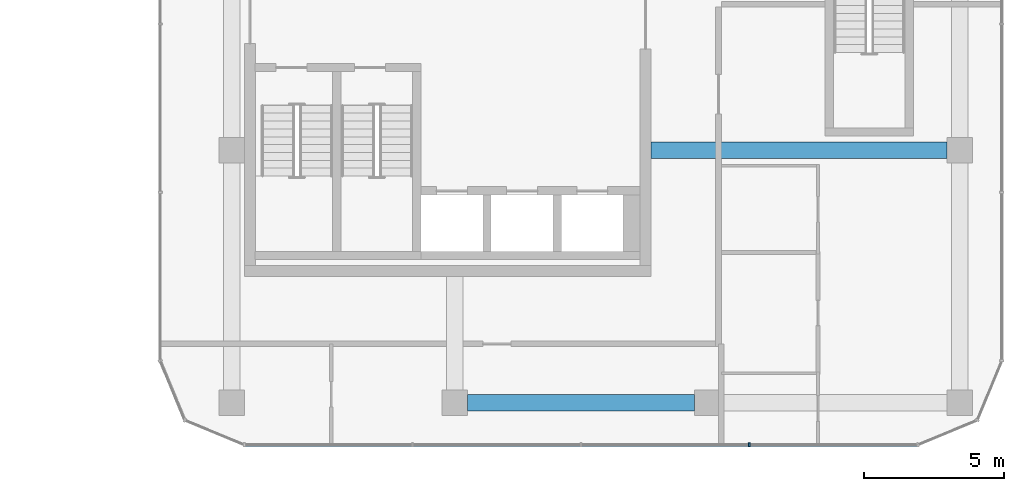
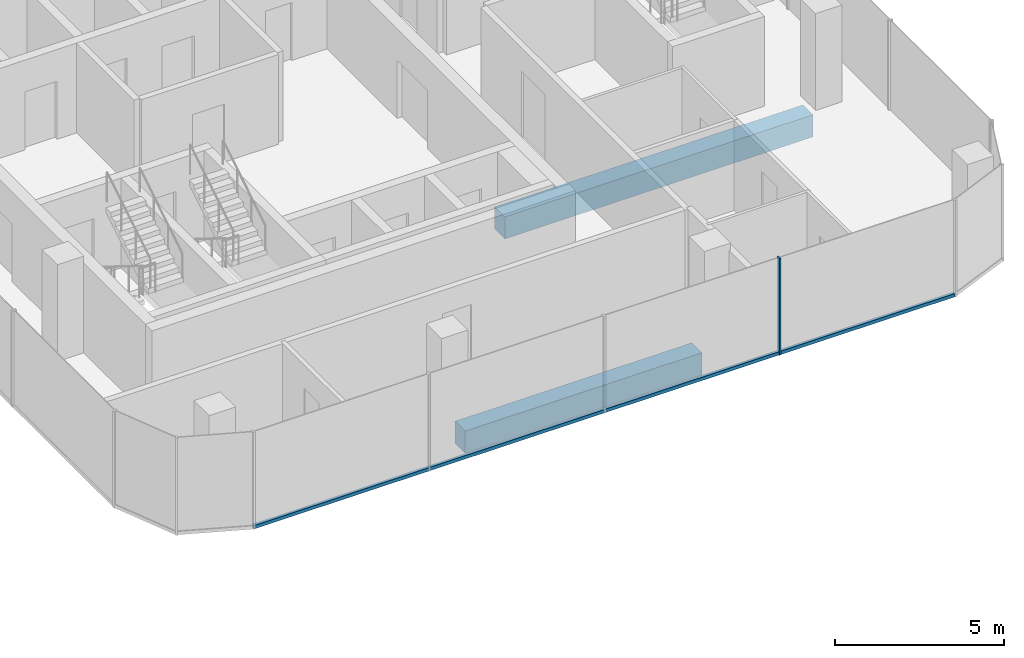
# One storey, part 8 of 22: 2 beams, 2 members, 1 element without a shape of its own.
"""IFC4 building model written with IfcOpenShell, lengths in metres."""

from ifc_helpers import new_model, si_unit, direction, frame, origin, origin_2d, place, context, subcontext, project, spatial, rectangle, extrude, material, layer, layer_set, material_profile, profile_set, type_object, element, aggregate, save


model = new_model("IFC4")

# Units and contexts
model_context = context("Model", 3, precision=1e-05, world=origin(), true_north=direction((0.0, 1.0)))
body_context = subcontext(model_context, "Body", "Model", "MODEL_VIEW")
ifc_project = project(units=[si_unit("LENGTHUNIT", "METRE"), si_unit("AREAUNIT", "SQUARE_METRE"), si_unit("VOLUMEUNIT", "CUBIC_METRE"), si_unit("PLANEANGLEUNIT", "RADIAN"), si_unit("MASSUNIT", "GRAM", prefix="KILO")], contexts=[model_context])

# Site, building, storey
site_placement = place(None, origin())
site = spatial("IfcSite", under=ifc_project, at=site_placement, CompositionType="ELEMENT")
building_placement = place(site_placement, origin())
building = spatial("IfcBuilding", under=site, at=building_placement, Name="Plateau Cross Towers", CompositionType="ELEMENT")
storey_placement = place(building_placement, frame((0.0, 0.0, 106.300048828125)))
storey = spatial("IfcBuildingStorey", under=building, at=storey_placement, Name="L27", CompositionType="ELEMENT", Elevation=106.300048828125)

# Beam
ifc_material_1 = material(Name="Concrete C60/75", Category="concrete")
ifc_material_profile_1 = material_profile(ifc_material_1, rectangle(XDim=0.60009765625, YDim=0.800048828125, at=origin_2d()), Name="RC 600x800")
ifc_profile_set_1 = profile_set([ifc_material_profile_1], Name="Concrete C60/75")
beam_type_1 = type_object("IfcBeamType", Name="Core beam RC 600x800", PredefinedType="BEAM", material=ifc_profile_set_1)
beam_1_placement = place(storey_placement, frame((89.5, 4.5, -0.650146484375), z_axis=(1.0, 0.0, 0.0), x_axis=(0.0, 1.0, 0.0)))
element("IfcBeam", 1, at=beam_1_placement, inside=storey, type_object=beam_type_1, Name="B-CB02@L27", PredefinedType="BEAM", context=body_context, shape_type="SweptSolid", body=[
    extrude(rectangle(XDim=0.60009765625, YDim=0.800048828125, at=origin_2d()), origin(), (0.0, 0.0, 1.0), 10.550048828125),
])

# Curtain wall, member
ifc_material_2 = material(Name="Dark low-iron glass", Category="glass")
ifc_layer = layer(ifc_material_2, 0.239990234375)
ifc_layer_set = layer_set([ifc_layer], Name="Dark low-iron glass")
curtain_wall_type = type_object("IfcCurtainWallType", Name="Curtain wall office unitised CW-F", PredefinedType="NOTDEFINED", material=ifc_layer_set)
curtain_wall_placement = place(storey_placement, origin())
curtain_wall = element("IfcCurtainWall", 2, at=curtain_wall_placement, inside=storey, type_object=curtain_wall_type, Name="ENV/B/L27/B750_-60", PredefinedType="NOTDEFINED")
ifc_material_3 = material(Name="Black anodised aluminium", Category="aluminium")
ifc_material_profile_2 = material_profile(ifc_material_3, rectangle(XDim=0.06005859375, YDim=0.139892578125, at=origin_2d()), Name="MULLION 60x140")
ifc_profile_set_2 = profile_set([ifc_material_profile_2], Name="Black anodised aluminium")
member_type_1 = type_object("IfcMemberType", Name="Mullion 60x140 office unitised", PredefinedType="MULLION", material=ifc_profile_set_2)
member_1_placement = place(storey_placement, frame((93.0, -6.0, -0.25), z_axis=(0.0, 0.0, 1.0), x_axis=(1.0, 0.0, 0.0)))
member_1 = element("IfcMember", 3, at=member_1_placement, type_object=member_type_1, Name="CW-F mullion 4", PredefinedType="MULLION", context=body_context, shape_type="SweptSolid", body=[
    extrude(rectangle(XDim=0.06005859375, YDim=0.139892578125, at=origin_2d()), origin(), (0.0, 0.0, 1.0), 3.5),
])

# Beam
ifc_material_profile_3 = material_profile(ifc_material_1, rectangle(XDim=0.60009765625, YDim=0.800048828125, at=origin_2d()), Name="RC 600x800")
ifc_profile_set_3 = profile_set([ifc_material_profile_3], Name="Concrete C60/75")
beam_type_2 = type_object("IfcBeamType", Name="Ring beam RC 600x800", PredefinedType="BEAM", material=ifc_profile_set_3)
beam_2_placement = place(storey_placement, frame((82.949951171875, -4.5, -0.650146484375), z_axis=(1.0, 0.0, 0.0), x_axis=(0.0, 1.0, 0.0)))
element("IfcBeam", 4, at=beam_2_placement, inside=storey, type_object=beam_type_2, Name="B-RB01@L27", PredefinedType="BEAM", context=body_context, shape_type="SweptSolid", body=[
    extrude(rectangle(XDim=0.60009765625, YDim=0.800048828125, at=origin_2d()), origin(), (0.0, 0.0, 1.0), 8.10009765625),
])

# Member
ifc_material_profile_4 = material_profile(ifc_material_3, rectangle(XDim=0.10009765625, YDim=0.1201171875, at=origin_2d()), Name="TRANSOM 100x120")
ifc_profile_set_4 = profile_set([ifc_material_profile_4], Name="Black anodised aluminium")
member_type_2 = type_object("IfcMemberType", Name="Transom 100x120 office unitised", PredefinedType="USERDEFINED", material=ifc_profile_set_4)
member_2_placement = place(storey_placement, frame((75.0, -6.0, -0.18994140625), z_axis=(1.0, 0.0, 0.0), x_axis=(0.0, 1.0, 0.0)))
member_2 = element("IfcMember", 5, at=member_2_placement, type_object=member_type_2, Name="CW-F transom", ObjectType="TRANSOM", PredefinedType="USERDEFINED", context=body_context, shape_type="SweptSolid", body=[
    extrude(rectangle(XDim=0.10009765625, YDim=0.1201171875, at=origin_2d()), origin(), (0.0, 0.0, 1.0), 24.0),
])

aggregate(curtain_wall, [member_1, member_2])

save(model, "model.ifc")
